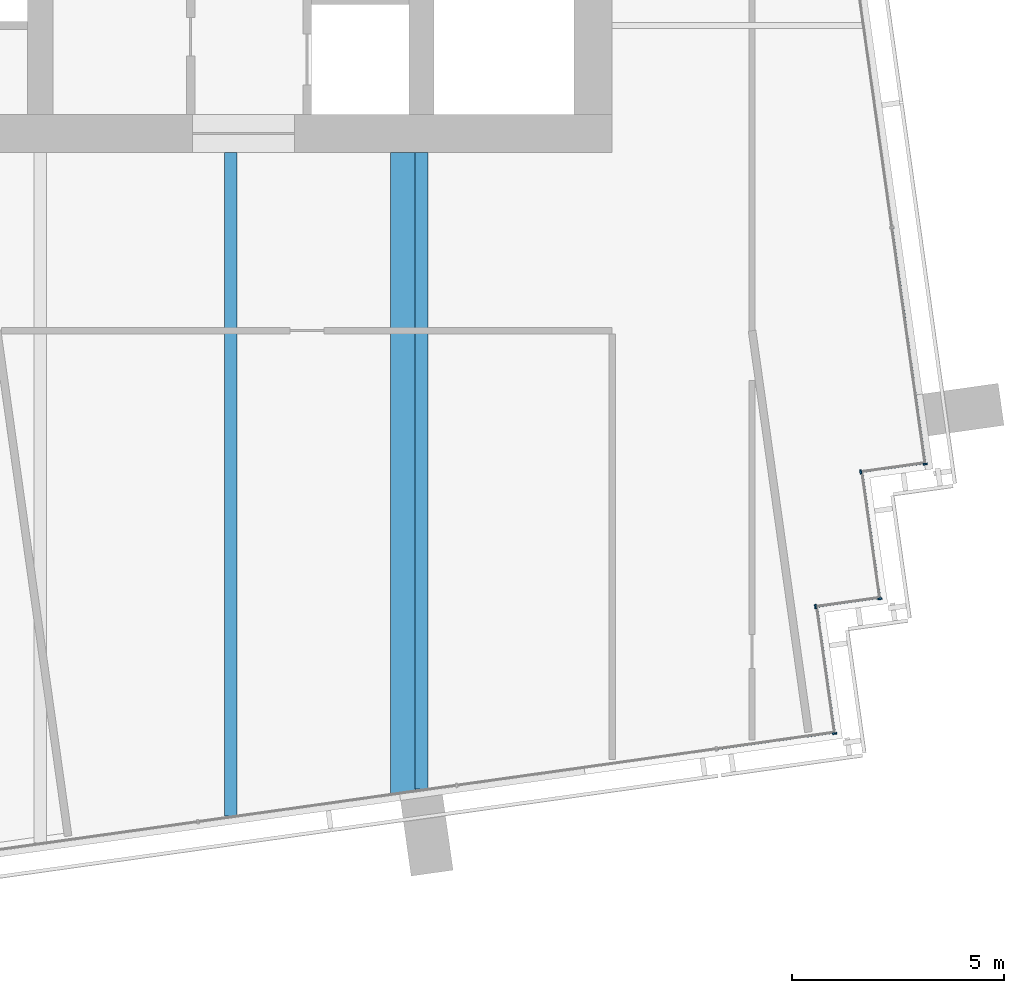
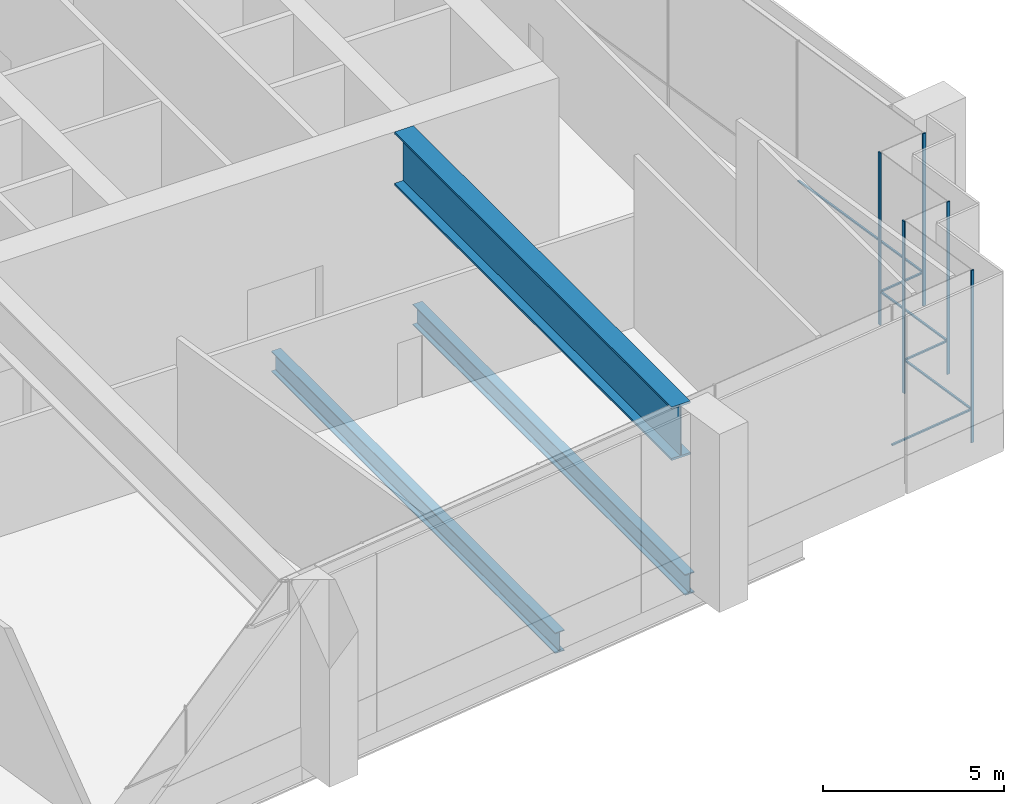
# One storey, part 7 of 25: 11 members, 3 beams, 6 elements without a shape of their own.
"""IFC4 building model written with IfcOpenShell, lengths in metres."""

from ifc_helpers import new_model, si_unit, direction, frame, origin, origin_2d, place, context, subcontext, project, spatial, rectangle, i_section, extrude, material, layer, layer_set, material_profile, profile_set, type_object, element, aggregate, save


model = new_model("IFC4")

# Units and contexts
model_context = context("Model", 3, precision=1e-05, world=origin(), true_north=direction((0.0, 1.0)))
body_context = subcontext(model_context, "Body", "Model", "MODEL_VIEW")
ifc_project = project(units=[si_unit("LENGTHUNIT", "METRE"), si_unit("AREAUNIT", "SQUARE_METRE"), si_unit("VOLUMEUNIT", "CUBIC_METRE"), si_unit("PLANEANGLEUNIT", "RADIAN"), si_unit("MASSUNIT", "GRAM", prefix="KILO")], contexts=[model_context])

# Site, building, storey
site_placement = place(None, origin())
site = spatial("IfcSite", under=ifc_project, at=site_placement, CompositionType="ELEMENT")
building_placement = place(site_placement, origin())
building = spatial("IfcBuilding", under=site, at=building_placement, Name="Rattan Terrace Tower", CompositionType="ELEMENT")
storey_placement = place(building_placement, frame((0.0, 0.0, 286.300048828125)))
storey = spatial("IfcBuildingStorey", under=building, at=storey_placement, Name="L66", CompositionType="ELEMENT", Elevation=286.300048828125)

# Beams
ifc_material_1 = material(Name="Steel S355", Category="steel")
ifc_material_profile_1 = material_profile(ifc_material_1, i_section(OverallWidth=0.300048828125, OverallDepth=0.699951171875, WebThickness=0.01708984375, FlangeThickness=0.031982421875, FilletRadius=0.027099609375, at=origin_2d()), Name="HE 700 B")
ifc_profile_set_1 = profile_set([ifc_material_profile_1], Name="Steel S355")
beam_type_1 = type_object("IfcBeamType", Name="Frame floor beam HE 700 B", PredefinedType="JOIST", material=ifc_profile_set_1)
beam_1_placement = place(storey_placement, frame((9.0, -23.14892578125, -0.550048828125), z_axis=(0.0, 1.0, 0.0), x_axis=(-1.0, 0.0, 0.0)))
element("IfcBeam", 1, at=beam_1_placement, inside=storey, type_object=beam_type_1, Name="bm-L66-008", PredefinedType="JOIST", context=body_context, shape_type="SweptSolid", body=[
    extrude(i_section(OverallWidth=0.300048828125, OverallDepth=0.699951171875, WebThickness=0.01708984375, FlangeThickness=0.031982421875, FilletRadius=0.027099609375, at=origin_2d()), origin(), (0.0, 0.0, 1.0), 15.64892578125),
])
beam_2_placement = place(storey_placement, frame((13.5, -22.51708984375, -0.550048828125), z_axis=(0.0, 1.0, 0.0), x_axis=(-1.0, 0.0, 0.0)))
element("IfcBeam", 2, at=beam_2_placement, inside=storey, type_object=beam_type_1, Name="bm-L66-009", PredefinedType="JOIST", context=body_context, shape_type="SweptSolid", body=[
    extrude(i_section(OverallWidth=0.300048828125, OverallDepth=0.699951171875, WebThickness=0.01708984375, FlangeThickness=0.031982421875, FilletRadius=0.027099609375, at=origin_2d()), origin(), (0.0, 0.0, 1.0), 15.01708984375),
])
ifc_material_2 = material(Name="Steel S460", Category="steel")
ifc_material_profile_2 = material_profile(ifc_material_2, i_section(OverallWidth=0.60009765625, OverallDepth=1.800048828125, WebThickness=0.0400390625, FlangeThickness=0.070068359375, at=origin_2d()), Name="PG 1800x600-40-70")
ifc_profile_set_2 = profile_set([ifc_material_profile_2], Name="Steel S460")
beam_type_2 = type_object("IfcBeamType", Name="Frame transfer girder PG 1800x600-40-70", PredefinedType="USERDEFINED", material=ifc_profile_set_2)
beam_3_placement = place(storey_placement, frame((13.070068359375, -22.779052734375, 4.89990234375), z_axis=(0.0, 1.0, 0.0), x_axis=(-1.0, 0.0, 0.0)))
element("IfcBeam", 3, at=beam_3_placement, inside=storey, type_object=beam_type_2, Name="trf-L66-014", ObjectType="TRANSFER GIRDER", PredefinedType="USERDEFINED", context=body_context, shape_type="SweptSolid", body=[
    extrude(i_section(OverallWidth=0.60009765625, OverallDepth=1.800048828125, WebThickness=0.0400390625, FlangeThickness=0.070068359375, at=origin_2d()), origin(), (0.0, 0.0, 1.0), 15.279052734375),
])

# Curtain wall, member
ifc_material_3 = material(Name="Aluminium and structural silicone glass", Category="aluminium")
ifc_layer = layer(ifc_material_3, 0.10009765625)
ifc_layer_set = layer_set([ifc_layer], Name="Observation Structural Silicone Curtain Wall")
curtain_wall_type = type_object("IfcCurtainWallType", Name="Observation Structural Silicone Curtain Wall", PredefinedType="NOTDEFINED", material=ifc_layer_set)
curtain_wall_1_placement = place(storey_placement, origin())
curtain_wall_1 = element("IfcCurtainWall", 4, at=curtain_wall_1_placement, inside=storey, type_object=curtain_wall_type, Name="Observation curtain wall L66-2", PredefinedType="NOTDEFINED")
ifc_material_4 = material(Name="Aluminium", Category="aluminium")
ifc_material_profile_3 = material_profile(ifc_material_4, rectangle(XDim=0.0400390625, YDim=0.10009765625, at=origin_2d()), Name="Aluminium 40x100")
ifc_profile_set_3 = profile_set([ifc_material_profile_3], Name="Aluminium")
member_type_1 = type_object("IfcMemberType", Name="Observation CW Mullion 40x100", PredefinedType="MULLION", material=ifc_profile_set_3)
member_1_placement = place(storey_placement, frame((23.2470703125, -21.2080078125, 0.0), z_axis=(0.0, 0.0, 1.0), x_axis=(-0.138994363123, 0.990293172258, 0.0)))
member_1 = element("IfcMember", 5, at=member_1_placement, type_object=member_type_1, Name="Mullion cwl-L66-002.1", PredefinedType="MULLION", context=body_context, shape_type="SweptSolid", body=[
    extrude(rectangle(XDim=0.0400390625, YDim=0.10009765625, at=origin_2d()), origin(), (0.0, 0.0, 1.0), 5.800048828125),
])

curtain_wall_2_placement = place(storey_placement, origin())
curtain_wall_2 = element("IfcCurtainWall", 6, at=curtain_wall_2_placement, inside=storey, type_object=curtain_wall_type, Name="Observation curtain wall L66-3", PredefinedType="NOTDEFINED")
member_2_placement = place(storey_placement, frame((22.79638671875, -18.21142578125, 0.0), z_axis=(0.0, 0.0, 1.0), x_axis=(0.990240767803, 0.139367219175, 0.0)))
member_2 = element("IfcMember", 7, at=member_2_placement, type_object=member_type_1, Name="Mullion cwl-L66-003.1", PredefinedType="MULLION", context=body_context, shape_type="SweptSolid", body=[
    extrude(rectangle(XDim=0.0400390625, YDim=0.10009765625, at=origin_2d()), origin(), (0.0, 0.0, 1.0), 5.800048828125),
])

curtain_wall_3_placement = place(storey_placement, origin())
curtain_wall_3 = element("IfcCurtainWall", 8, at=curtain_wall_3_placement, inside=storey, type_object=curtain_wall_type, Name="Observation curtain wall L66-4", PredefinedType="NOTDEFINED")
member_3_placement = place(storey_placement, frame((24.315185546875, -18.028076171875, 0.0), z_axis=(0.0, 0.0, 1.0), x_axis=(-0.139367219175, 0.990240767803, 0.0)))
member_3 = element("IfcMember", 9, at=member_3_placement, type_object=member_type_1, Name="Mullion cwl-L66-004.1", PredefinedType="MULLION", context=body_context, shape_type="SweptSolid", body=[
    extrude(rectangle(XDim=0.0400390625, YDim=0.10009765625, at=origin_2d()), origin(), (0.0, 0.0, 1.0), 5.800048828125),
])

curtain_wall_4_placement = place(storey_placement, origin())
curtain_wall_4 = element("IfcCurtainWall", 10, at=curtain_wall_4_placement, inside=storey, type_object=curtain_wall_type, Name="Observation curtain wall L66-5", PredefinedType="NOTDEFINED")
member_4_placement = place(storey_placement, frame((23.86328125, -15.032470703125, 0.0), z_axis=(0.0, 0.0, 1.0), x_axis=(0.99025370695, 0.139275252184, 0.0)))
member_4 = element("IfcMember", 11, at=member_4_placement, type_object=member_type_1, Name="Mullion cwl-L66-005.1", PredefinedType="MULLION", context=body_context, shape_type="SweptSolid", body=[
    extrude(rectangle(XDim=0.0400390625, YDim=0.10009765625, at=origin_2d()), origin(), (0.0, 0.0, 1.0), 5.800048828125),
])

curtain_wall_5_placement = place(storey_placement, origin())
curtain_wall_5 = element("IfcCurtainWall", 12, at=curtain_wall_5_placement, inside=storey, type_object=curtain_wall_type, Name="Observation curtain wall L66-6", PredefinedType="NOTDEFINED")
member_5_placement = place(storey_placement, frame((25.383056640625, -14.84912109375, 0.0), z_axis=(0.0, 0.0, 1.0), x_axis=(-0.139191775431, 0.990265444036, 0.0)))
member_5 = element("IfcMember", 13, at=member_5_placement, type_object=member_type_1, Name="Mullion cwl-L66-006.1", PredefinedType="MULLION", context=body_context, shape_type="SweptSolid", body=[
    extrude(rectangle(XDim=0.0400390625, YDim=0.10009765625, at=origin_2d()), origin(), (0.0, 0.0, 1.0), 5.800048828125),
])

curtain_wall_6_placement = place(storey_placement, origin())
curtain_wall_6 = element("IfcCurtainWall", 14, at=curtain_wall_6_placement, inside=storey, type_object=curtain_wall_type, Name="Observation curtain wall L66-1", PredefinedType="NOTDEFINED")
ifc_material_5 = material(Name="Aluminium", Category="aluminium")
ifc_material_profile_4 = material_profile(ifc_material_5, rectangle(XDim=0.06005859375, YDim=0.050048828125, at=origin_2d()), Name="Aluminium 60x50")
ifc_profile_set_4 = profile_set([ifc_material_profile_4], Name="Aluminium")
member_type_2 = type_object("IfcMemberType", Name="Observation CW Transom 60x50", PredefinedType="USERDEFINED", material=ifc_profile_set_4)
member_6_placement = place(storey_placement, frame((20.47998046875, -21.566162109375, 1.099853515625), z_axis=(0.990293977152, 0.138988628372, 0.0), x_axis=(-0.138988628372, 0.990293977152, 0.0)))
member_6 = element("IfcMember", 15, at=member_6_placement, type_object=member_type_2, Name="Transom cwl-L66-001.1", ObjectType="TRANSOM", PredefinedType="USERDEFINED", context=body_context, shape_type="SweptSolid", body=[
    extrude(rectangle(XDim=0.06005859375, YDim=0.050048828125, at=origin_2d()), origin(), (0.0, 0.0, 1.0), 2.740234375),
])
aggregate(curtain_wall_6, [member_6])

# Member
member_7_placement = place(storey_placement, frame((23.244384765625, -21.188232421875, 1.099853515625), z_axis=(-0.138973019297, 0.990296167774, 0.0), x_axis=(-0.990296167774, -0.138973019297, 0.0)))
member_7 = element("IfcMember", 16, at=member_7_placement, type_object=member_type_2, Name="Transom cwl-L66-002.1", ObjectType="TRANSOM", PredefinedType="USERDEFINED", context=body_context, shape_type="SweptSolid", body=[
    extrude(rectangle(XDim=0.06005859375, YDim=0.050048828125, at=origin_2d()), origin(), (0.0, 0.0, 1.0), 2.960205078125),
])

aggregate(curtain_wall_1, [member_1, member_7])

member_8_placement = place(storey_placement, frame((22.816162109375, -18.208740234375, 1.099853515625), z_axis=(0.990245042264, 0.139336844629, 0.0), x_axis=(-0.139336844629, 0.990245042264, 0.0)))
member_8 = element("IfcMember", 17, at=member_8_placement, type_object=member_type_2, Name="Transom cwl-L66-003.1", ObjectType="TRANSOM", PredefinedType="USERDEFINED", context=body_context, shape_type="SweptSolid", body=[
    extrude(rectangle(XDim=0.06005859375, YDim=0.050048828125, at=origin_2d()), origin(), (0.0, 0.0, 1.0), 1.45947265625),
])

aggregate(curtain_wall_2, [member_2, member_8])

member_9_placement = place(storey_placement, frame((24.312255859375, -18.00830078125, 1.099853515625), z_axis=(-0.139342051071, 0.990244309655, 0.0), x_axis=(-0.990244309655, -0.139342051071, 0.0)))
member_9 = element("IfcMember", 18, at=member_9_placement, type_object=member_type_2, Name="Transom cwl-L66-004.1", ObjectType="TRANSOM", PredefinedType="USERDEFINED", context=body_context, shape_type="SweptSolid", body=[
    extrude(rectangle(XDim=0.06005859375, YDim=0.050048828125, at=origin_2d()), origin(), (0.0, 0.0, 1.0), 2.959228515625),
])

aggregate(curtain_wall_3, [member_3, member_9])

member_10_placement = place(storey_placement, frame((23.883056640625, -15.02978515625, 1.099853515625), z_axis=(0.990261259755, 0.139221540823, 0.0), x_axis=(-0.139221540823, 0.990261259755, 0.0)))
member_10 = element("IfcMember", 19, at=member_10_placement, type_object=member_type_2, Name="Transom cwl-L66-005.1", ObjectType="TRANSOM", PredefinedType="USERDEFINED", context=body_context, shape_type="SweptSolid", body=[
    extrude(rectangle(XDim=0.06005859375, YDim=0.050048828125, at=origin_2d()), origin(), (0.0, 0.0, 1.0), 1.460693359375),
])

aggregate(curtain_wall_4, [member_4, member_10])

member_11_placement = place(storey_placement, frame((25.38037109375, -14.829345703125, 1.099853515625), z_axis=(-0.13920471621, 0.990263624993, 0.0), x_axis=(-0.990263624993, -0.13920471621, 0.0)))
member_11 = element("IfcMember", 20, at=member_11_placement, type_object=member_type_2, Name="Transom cwl-L66-006.1", ObjectType="TRANSOM", PredefinedType="USERDEFINED", context=body_context, shape_type="SweptSolid", body=[
    extrude(rectangle(XDim=0.06005859375, YDim=0.050048828125, at=origin_2d()), origin(), (0.0, 0.0, 1.0), 5.59814453125),
])

aggregate(curtain_wall_5, [member_5, member_11])

save(model, "model.ifc")
